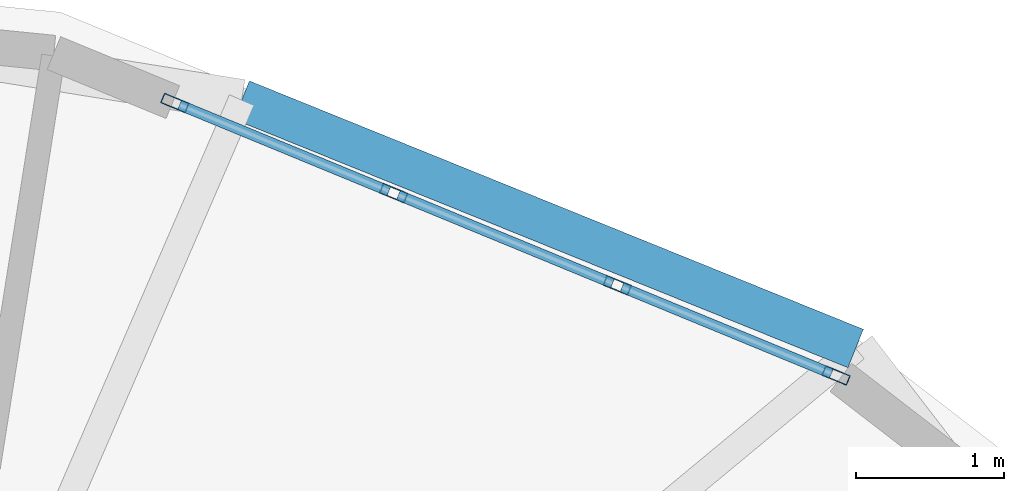
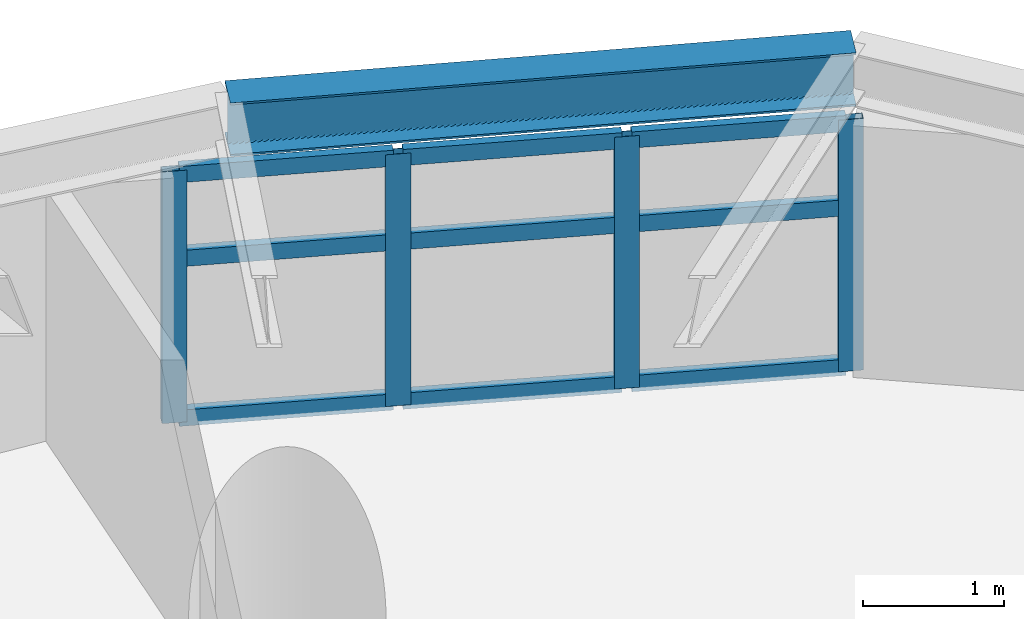
# One storey, part 7 of 17: 13 members, 1 beam, 1 element without a shape of its own.
"""IFC4 building model written with IfcOpenShell, lengths in metres."""

from ifc_helpers import new_model, si_unit, direction, frame, origin, origin_2d, place, context, subcontext, project, spatial, hollow_rectangle, i_section, extrude, material, layer, layer_set, material_profile, profile_set, type_object, element, aggregate, save


model = new_model("IFC4")

# Units and contexts
model_context = context("Model", 3, precision=1e-05, world=origin(), true_north=direction((0.0, 1.0)))
body_context = subcontext(model_context, "Body", "Model", "MODEL_VIEW")
ifc_project = project(units=[si_unit("LENGTHUNIT", "METRE"), si_unit("AREAUNIT", "SQUARE_METRE"), si_unit("VOLUMEUNIT", "CUBIC_METRE"), si_unit("PLANEANGLEUNIT", "RADIAN"), si_unit("MASSUNIT", "GRAM", prefix="KILO")], contexts=[model_context])

# Site, building, storey
site_placement = place(None, origin())
site = spatial("IfcSite", under=ifc_project, at=site_placement, CompositionType="ELEMENT")
building_placement = place(site_placement, origin())
building = spatial("IfcBuilding", under=site, at=building_placement, Name="Cununo Teusaquillo Station Towers", CompositionType="ELEMENT")
storey_placement = place(building_placement, frame((0.0, 0.0, 90.52001953125)))
storey = spatial("IfcBuildingStorey", under=building, at=storey_placement, Name="L28", CompositionType="ELEMENT", Elevation=90.52001953125)

# Beam
ifc_material_1 = material(Name="Steel ASTM A572 Grade 50", Category="steel")
ifc_material_profile_1 = material_profile(ifc_material_1, i_section(OverallWidth=0.280029296875, OverallDepth=0.462890625, WebThickness=0.0107421875, FlangeThickness=0.017333984375, FilletRadius=0.013916015625, at=origin_2d()), Name="W18X76")
ifc_profile_set_1 = profile_set([ifc_material_profile_1], Name="Steel ASTM A572 Grade 50")
beam_type = type_object("IfcBeamType", Name="BM-RING-Z2", PredefinedType="SPANDREL", material=ifc_profile_set_1)
beam_placement = place(storey_placement, frame((63.9111328125, 39.341064453125, 2.4384765625), z_axis=(-0.927007712072, 0.375042266631, 0.0), x_axis=(-0.375042266631, -0.927007712072, 0.0)))
element("IfcBeam", 1, at=beam_placement, inside=storey, type_object=beam_type, Name="L28 Tower B Spandrel Ring Beam 02", PredefinedType="SPANDREL", context=body_context, shape_type="SweptSolid", body=[
    extrude(i_section(OverallWidth=0.280029296875, OverallDepth=0.462890625, WebThickness=0.0107421875, FlangeThickness=0.017333984375, FilletRadius=0.013916015625, at=origin_2d()), origin(), (0.0, 0.0, 1.0), 4.480712890625),
])

# Curtain wall, members
ifc_material_2 = material(Name="Ceramic-fritted dark low-E double glazing", Category="glass")
ifc_layer = layer(ifc_material_2, 0.179931640625)
ifc_layer_set = layer_set([ifc_layer], Name="Ceramic-fritted dark low-E double glazing")
curtain_wall_type = type_object("IfcCurtainWallType", Name="CW-SYS-04", PredefinedType="USERDEFINED", material=ifc_layer_set)
curtain_wall_placement = place(storey_placement, origin())
curtain_wall = element("IfcCurtainWall", 2, at=curtain_wall_placement, inside=storey, type_object=curtain_wall_type, Name="L28 Tower B Facade Curtain Wall C01", ObjectType="FRITTED GLAZING", PredefinedType="USERDEFINED")
ifc_material_3 = material(Name="Anodised dark bronze aluminium EN AW-6063-T6", Category="aluminium")
ifc_material_profile_2 = material_profile(ifc_material_3, hollow_rectangle(XDim=0.070068359375, YDim=0.179931640625, WallThickness=0.00390625, at=origin_2d()), Name="CW-MULL-70x180")
ifc_profile_set_2 = profile_set([ifc_material_profile_2], Name="Anodised dark bronze aluminium EN AW-6063-T6")
member_type_1 = type_object("IfcMemberType", Name="CWM-180", PredefinedType="MULLION", material=ifc_profile_set_2)
member_1_placement = place(storey_placement, frame((59.3056640625, 41.001953125, 0.0), z_axis=(0.0, 0.0, 1.0), x_axis=(0.381030560176, 0.924562443652, 0.0)))
member_1 = element("IfcMember", 3, at=member_1_placement, type_object=member_type_1, Name="CW-04 mullion 1", PredefinedType="MULLION", context=body_context, shape_type="SweptSolid", body=[
    extrude(hollow_rectangle(XDim=0.070068359375, YDim=0.179931640625, WallThickness=0.00390625, at=origin_2d()), origin(), (0.0, 0.0, 1.0), 2.178955078125),
])
member_2_placement = place(storey_placement, frame((60.785888671875, 40.39208984375, 0.0), z_axis=(0.0, 0.0, 1.0), x_axis=(0.381030560176, 0.924562443652, 0.0)))
member_2 = element("IfcMember", 4, at=member_2_placement, type_object=member_type_1, Name="CW-04 mullion 2", PredefinedType="MULLION", context=body_context, shape_type="SweptSolid", body=[
    extrude(hollow_rectangle(XDim=0.070068359375, YDim=0.179931640625, WallThickness=0.00390625, at=origin_2d()), origin(), (0.0, 0.0, 1.0), 2.178955078125),
])
member_3_placement = place(storey_placement, frame((62.298583984375, 39.7685546875, 0.0), z_axis=(0.0, 0.0, 1.0), x_axis=(0.381030560176, 0.924562443652, 0.0)))
member_3 = element("IfcMember", 5, at=member_3_placement, type_object=member_type_1, Name="CW-04 mullion 3", PredefinedType="MULLION", context=body_context, shape_type="SweptSolid", body=[
    extrude(hollow_rectangle(XDim=0.070068359375, YDim=0.179931640625, WallThickness=0.00390625, at=origin_2d()), origin(), (0.0, 0.0, 1.0), 2.178955078125),
])
member_4_placement = place(storey_placement, frame((63.77880859375, 39.158447265625, 0.0), z_axis=(0.0, 0.0, 1.0), x_axis=(0.381030560176, 0.924562443652, 0.0)))
member_4 = element("IfcMember", 6, at=member_4_placement, type_object=member_type_1, Name="CW-04 mullion 4", PredefinedType="MULLION", context=body_context, shape_type="SweptSolid", body=[
    extrude(hollow_rectangle(XDim=0.070068359375, YDim=0.179931640625, WallThickness=0.00390625, at=origin_2d()), origin(), (0.0, 0.0, 1.0), 2.178955078125),
])
ifc_material_4 = material(Name="Anodised dark bronze aluminium EN AW-6063-T6", Category="aluminium")
ifc_material_profile_3 = material_profile(ifc_material_4, hollow_rectangle(XDim=0.070068359375, YDim=0.139892578125, WallThickness=0.00390625, at=origin_2d()), Name="CW-TRAN-70x140")
ifc_profile_set_3 = profile_set([ifc_material_profile_3], Name="Anodised dark bronze aluminium EN AW-6063-T6")
member_type_2 = type_object("IfcMemberType", Name="CWT-140", PredefinedType="USERDEFINED", material=ifc_profile_set_3)
member_5_placement = place(storey_placement, frame((59.337890625, 40.98876953125, 0.034912109375), z_axis=(0.924532726965, -0.381102659097, 0.0), x_axis=(0.381102659097, 0.924532726965, 0.0)))
member_5 = element("IfcMember", 7, at=member_5_placement, type_object=member_type_2, Name="CW-04 transom 1.1", ObjectType="TRANSOM", PredefinedType="USERDEFINED", context=body_context, shape_type="SweptSolid", body=[
    extrude(hollow_rectangle(XDim=0.070068359375, YDim=0.139892578125, WallThickness=0.00390625, at=origin_2d()), origin(), (0.0, 0.0, 1.0), 1.531005859375),
])
member_6_placement = place(storey_placement, frame((59.337890625, 40.98876953125, 1.416015625), z_axis=(0.924532726965, -0.381102659097, 0.0), x_axis=(0.381102659097, 0.924532726965, 0.0)))
member_6 = element("IfcMember", 8, at=member_6_placement, type_object=member_type_2, Name="CW-04 transom 1.2", ObjectType="TRANSOM", PredefinedType="USERDEFINED", context=body_context, shape_type="SweptSolid", body=[
    extrude(hollow_rectangle(XDim=0.070068359375, YDim=0.139892578125, WallThickness=0.00390625, at=origin_2d()), origin(), (0.0, 0.0, 1.0), 1.531005859375),
])
member_7_placement = place(storey_placement, frame((59.337890625, 40.98876953125, 2.14404296875), z_axis=(0.924532726965, -0.381102659097, 0.0), x_axis=(0.381102659097, 0.924532726965, 0.0)))
member_7 = element("IfcMember", 9, at=member_7_placement, type_object=member_type_2, Name="CW-04 transom 1.3", ObjectType="TRANSOM", PredefinedType="USERDEFINED", context=body_context, shape_type="SweptSolid", body=[
    extrude(hollow_rectangle(XDim=0.070068359375, YDim=0.139892578125, WallThickness=0.00390625, at=origin_2d()), origin(), (0.0, 0.0, 1.0), 1.531005859375),
])
member_8_placement = place(storey_placement, frame((60.818115234375, 40.378662109375, 0.034912109375), z_axis=(0.924577983912, -0.380992849887, 0.0), x_axis=(0.380992849887, 0.924577983912, 0.0)))
member_8 = element("IfcMember", 10, at=member_8_placement, type_object=member_type_2, Name="CW-04 transom 2.1", ObjectType="TRANSOM", PredefinedType="USERDEFINED", context=body_context, shape_type="SweptSolid", body=[
    extrude(hollow_rectangle(XDim=0.070068359375, YDim=0.139892578125, WallThickness=0.00390625, at=origin_2d()), origin(), (0.0, 0.0, 1.0), 1.566162109375),
])
member_9_placement = place(storey_placement, frame((60.818115234375, 40.378662109375, 1.416015625), z_axis=(0.924577983912, -0.380992849887, 0.0), x_axis=(0.380992849887, 0.924577983912, 0.0)))
member_9 = element("IfcMember", 11, at=member_9_placement, type_object=member_type_2, Name="CW-04 transom 2.2", ObjectType="TRANSOM", PredefinedType="USERDEFINED", context=body_context, shape_type="SweptSolid", body=[
    extrude(hollow_rectangle(XDim=0.070068359375, YDim=0.139892578125, WallThickness=0.00390625, at=origin_2d()), origin(), (0.0, 0.0, 1.0), 1.566162109375),
])
member_10_placement = place(storey_placement, frame((60.818115234375, 40.378662109375, 2.14404296875), z_axis=(0.924577983912, -0.380992849887, 0.0), x_axis=(0.380992849887, 0.924577983912, 0.0)))
member_10 = element("IfcMember", 12, at=member_10_placement, type_object=member_type_2, Name="CW-04 transom 2.3", ObjectType="TRANSOM", PredefinedType="USERDEFINED", context=body_context, shape_type="SweptSolid", body=[
    extrude(hollow_rectangle(XDim=0.070068359375, YDim=0.139892578125, WallThickness=0.00390625, at=origin_2d()), origin(), (0.0, 0.0, 1.0), 1.566162109375),
])
member_11_placement = place(storey_placement, frame((62.330810546875, 39.75537109375, 0.034912109375), z_axis=(0.924555881283, -0.381046483233, 0.0), x_axis=(0.381046483233, 0.924555881283, 0.0)))
member_11 = element("IfcMember", 13, at=member_11_placement, type_object=member_type_2, Name="CW-04 transom 3.1", ObjectType="TRANSOM", PredefinedType="USERDEFINED", context=body_context, shape_type="SweptSolid", body=[
    extrude(hollow_rectangle(XDim=0.070068359375, YDim=0.139892578125, WallThickness=0.00390625, at=origin_2d()), origin(), (0.0, 0.0, 1.0), 1.53125),
])
member_12_placement = place(storey_placement, frame((62.330810546875, 39.75537109375, 1.416015625), z_axis=(0.924555881283, -0.381046483233, 0.0), x_axis=(0.381046483233, 0.924555881283, 0.0)))
member_12 = element("IfcMember", 14, at=member_12_placement, type_object=member_type_2, Name="CW-04 transom 3.2", ObjectType="TRANSOM", PredefinedType="USERDEFINED", context=body_context, shape_type="SweptSolid", body=[
    extrude(hollow_rectangle(XDim=0.070068359375, YDim=0.139892578125, WallThickness=0.00390625, at=origin_2d()), origin(), (0.0, 0.0, 1.0), 1.53125),
])
member_13_placement = place(storey_placement, frame((62.330810546875, 39.75537109375, 2.14404296875), z_axis=(0.924555881283, -0.381046483233, 0.0), x_axis=(0.381046483233, 0.924555881283, 0.0)))
member_13 = element("IfcMember", 15, at=member_13_placement, type_object=member_type_2, Name="CW-04 transom 3.3", ObjectType="TRANSOM", PredefinedType="USERDEFINED", context=body_context, shape_type="SweptSolid", body=[
    extrude(hollow_rectangle(XDim=0.070068359375, YDim=0.139892578125, WallThickness=0.00390625, at=origin_2d()), origin(), (0.0, 0.0, 1.0), 1.53125),
])
aggregate(curtain_wall, [member_1, member_2, member_3, member_4, member_5, member_6, member_7, member_8, member_9, member_10, member_11, member_12, member_13])

save(model, "model.ifc")
